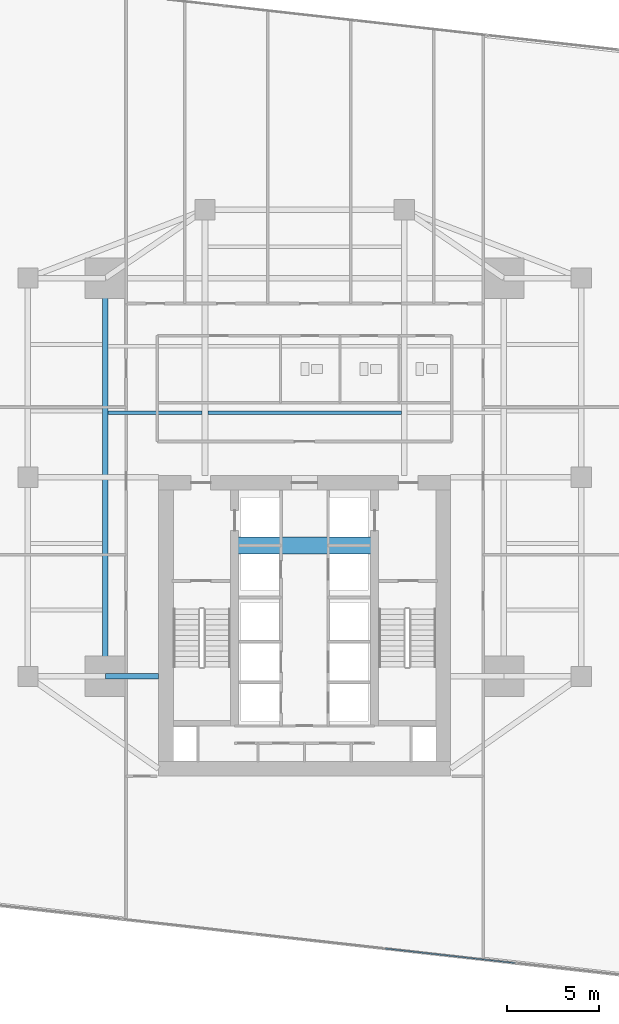
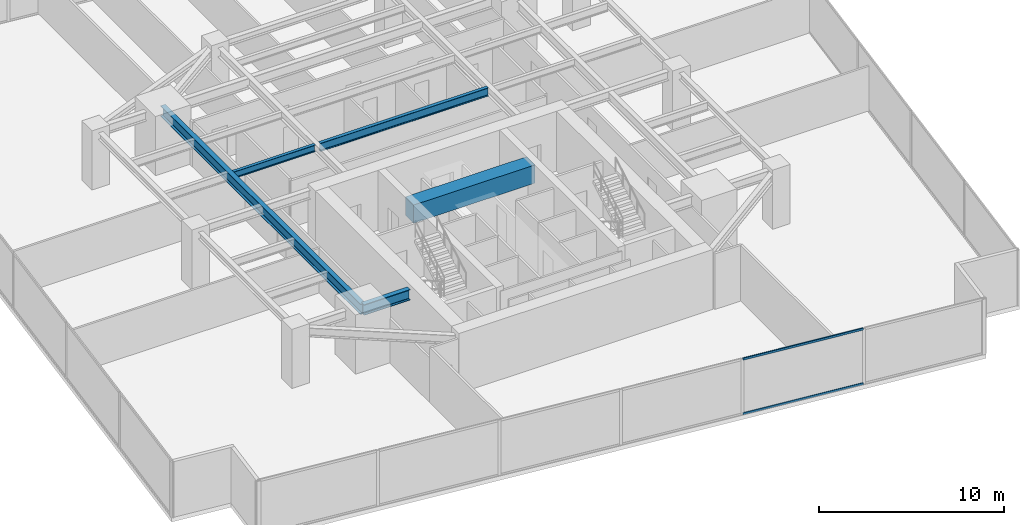
# One storey, part 9 of 31: 5 beams, 2 members, 1 element without a shape of its own.
"""IFC4 building model written with IfcOpenShell, lengths in metres."""

from ifc_helpers import new_model, si_unit, direction, frame, origin, origin_2d, place, context, subcontext, project, spatial, rectangle, hollow_rectangle, i_section, extrude, source, transform, mapped, material, material_profile, profile_set, type_object, type_shapes, element, aggregate, save


model = new_model("IFC4")

# Units and contexts
model_context = context("Model", 3, precision=1e-05, world=origin(), true_north=direction((0.0, 1.0)))
body_context = subcontext(model_context, "Body", "Model", "MODEL_VIEW")
ifc_project = project(units=[si_unit("LENGTHUNIT", "METRE"), si_unit("AREAUNIT", "SQUARE_METRE"), si_unit("VOLUMEUNIT", "CUBIC_METRE"), si_unit("PLANEANGLEUNIT", "RADIAN"), si_unit("MASSUNIT", "GRAM", prefix="KILO")], contexts=[model_context])

# Site, building, storey
site_placement = place(None, origin())
site = spatial("IfcSite", under=ifc_project, at=site_placement, CompositionType="ELEMENT")
building_placement = place(site_placement, origin())
building = spatial("IfcBuilding", under=site, at=building_placement, Name="Krantzveldt Concourse Tower", CompositionType="ELEMENT")
storey_placement = place(building_placement, frame((0.0, 0.0, 56.60009765625)))
storey = spatial("IfcBuildingStorey", under=building, at=storey_placement, Name="L13", CompositionType="ELEMENT", Elevation=56.60009765625)

# Beams
ifc_material_1 = material(Name="Concrete C50/60", Category="concrete")
ifc_material_profile_1 = material_profile(ifc_material_1, rectangle(XDim=0.89990234375, YDim=1.199951171875, at=origin_2d()), Name="Concrete C50/60", Category="concrete")
ifc_profile_set_1 = profile_set([ifc_material_profile_1], Name="Concrete C50/60 - RC-CB 900x1200")
beam_type_1 = type_object("IfcBeamType", Name="BM-CB-1200", PredefinedType="LINTEL", material=ifc_profile_set_1)
shared_shape_1 = source(origin(), body_context, "Body", "SweptSolid", [
    extrude(rectangle(XDim=0.89990234375, YDim=1.199951171875, at=origin_2d()), origin(), (0.0, 0.0, 1.0), 7.580078125),
])
type_shapes(beam_type_1, [shared_shape_1])
beam_1_placement = place(storey_placement, frame((32.2099609375, 23.0, 3.06982421875), z_axis=(1.0, 0.0, 0.0), x_axis=(0.0, 1.0, 0.0)))
element("IfcBeam", 1, at=beam_1_placement, inside=storey, type_object=beam_type_1, Name="CB-L13-01", PredefinedType="LINTEL", context=body_context, shape_type="MappedRepresentation", body=[
    mapped(shared_shape_1, transform((0.0, 0.0, 0.0), x_axis=(1.0, 0.0, 0.0), y_axis=(0.0, 1.0, 0.0), z_axis=(0.0, 0.0, 1.0), scale=1.0)),
])
ifc_material_2 = material(Name="Steel S355J2", Category="steel")
ifc_material_profile_2 = material_profile(ifc_material_2, i_section(OverallWidth=0.300048828125, OverallDepth=0.699951171875, WebThickness=0.01708984375, FlangeThickness=0.031982421875, FilletRadius=0.027099609375, at=origin_2d()), Name="Steel S355J2", Category="steel")
ifc_profile_set_2 = profile_set([ifc_material_profile_2], Name="Steel S355J2 - HEB 700")
beam_type_2 = type_object("IfcBeamType", Name="BM-B-HEB700", PredefinedType="BEAM", material=ifc_profile_set_2)
shared_shape_2 = source(origin(), body_context, "Body", "SweptSolid", [
    extrude(i_section(OverallWidth=0.300048828125, OverallDepth=0.699951171875, WebThickness=0.01708984375, FlangeThickness=0.031982421875, FilletRadius=0.027099609375, at=origin_2d()), origin(), (0.0, 0.0, 1.0), 2.880126953125),
])
beam_2_placement = place(storey_placement, frame((25.199951171875, 15.89990234375, 3.31982421875), z_axis=(1.0, 0.0, 0.0), x_axis=(0.0, 1.0, 0.0)))
element("IfcBeam", 2, at=beam_2_placement, inside=storey, type_object=beam_type_2, Name="L13 Tower Girder BG-CW1", PredefinedType="BEAM", context=body_context, shape_type="MappedRepresentation", body=[
    mapped(shared_shape_2, transform((0.0, 0.0, 0.0), x_axis=(1.0, 0.0, 0.0), y_axis=(0.0, 1.0, 0.0), z_axis=(0.0, 0.0, 1.0), scale=1.0)),
])
shared_shape_3 = source(origin(), body_context, "Body", "SweptSolid", [
    extrude(i_section(OverallWidth=0.300048828125, OverallDepth=0.699951171875, WebThickness=0.01708984375, FlangeThickness=0.031982421875, FilletRadius=0.027099609375, at=origin_2d()), origin(), (0.0, 0.0, 1.0), 21.60009765625),
])
type_shapes(beam_type_2, [shared_shape_2, shared_shape_3])
beam_3_placement = place(storey_placement, frame((25.199951171875, 15.89990234375, 3.31982421875), z_axis=(0.0, 1.0, 0.0), x_axis=(-1.0, 0.0, 0.0)))
element("IfcBeam", 3, at=beam_3_placement, inside=storey, type_object=beam_type_2, Name="L13 Tower Girder BG-MW", PredefinedType="BEAM", context=body_context, shape_type="MappedRepresentation", body=[
    mapped(shared_shape_3, transform((0.0, 0.0, 0.0), x_axis=(1.0, 0.0, 0.0), y_axis=(0.0, 1.0, 0.0), z_axis=(0.0, 0.0, 1.0), scale=1.0)),
])
ifc_material_3 = material(Name="Steel S355JR", Category="steel")
ifc_material_profile_3 = material_profile(ifc_material_3, i_section(OverallWidth=0.2099609375, OverallDepth=0.550048828125, WebThickness=0.010986328125, FlangeThickness=0.01708984375, FilletRadius=0.02392578125, at=origin_2d()), Name="Steel S355JR", Category="steel")
ifc_profile_set_3 = profile_set([ifc_material_profile_3], Name="Steel S355JR - IPE 550")
beam_type_3 = type_object("IfcBeamType", Name="BM-J-IPE550", PredefinedType="JOIST", material=ifc_profile_set_3)
shared_shape_4 = source(origin(), body_context, "Body", "SweptSolid", [
    extrude(i_section(OverallWidth=0.2099609375, OverallDepth=0.550048828125, WebThickness=0.010986328125, FlangeThickness=0.01708984375, FilletRadius=0.02392578125, at=origin_2d()), origin(), (0.0, 0.0, 1.0), 10.5),
])
type_shapes(beam_type_3, [shared_shape_4])
beam_4_placement = place(storey_placement, frame((30.75, 30.199951171875, 3.39501953125), z_axis=(1.0, 0.0, 0.0), x_axis=(0.0, 1.0, 0.0)))
element("IfcBeam", 4, at=beam_4_placement, inside=storey, type_object=beam_type_3, Name="L13 Secondary Floor Joist JN-C1", PredefinedType="JOIST", context=body_context, shape_type="MappedRepresentation", body=[
    mapped(shared_shape_4, transform((0.0, 0.0, 0.0), x_axis=(1.0, 0.0, 0.0), y_axis=(0.0, 1.0, 0.0), z_axis=(0.0, 0.0, 1.0), scale=1.0)),
])
ifc_material_profile_4 = material_profile(ifc_material_3, i_section(OverallWidth=0.18994140625, OverallDepth=0.449951171875, WebThickness=0.009521484375, FlangeThickness=0.0146484375, FilletRadius=0.02099609375, at=origin_2d()), Name="Steel S355JR", Category="steel")
ifc_profile_set_4 = profile_set([ifc_material_profile_4], Name="Steel S355JR - IPE 450")
beam_type_4 = type_object("IfcBeamType", Name="BM-J-IPE450", PredefinedType="JOIST", material=ifc_profile_set_4)
shared_shape_5 = source(origin(), body_context, "Body", "SweptSolid", [
    extrude(i_section(OverallWidth=0.18994140625, OverallDepth=0.449951171875, WebThickness=0.009521484375, FlangeThickness=0.0146484375, FilletRadius=0.02099609375, at=origin_2d()), origin(), (0.0, 0.0, 1.0), 5.099853515625),
])
type_shapes(beam_type_4, [shared_shape_5])
beam_5_placement = place(storey_placement, frame((25.35009765625, 30.199951171875, 3.44482421875), z_axis=(1.0, 0.0, 0.0), x_axis=(0.0, 1.0, 0.0)))
element("IfcBeam", 5, at=beam_5_placement, inside=storey, type_object=beam_type_4, Name="L13 Secondary Floor Joist JN-W1", PredefinedType="JOIST", context=body_context, shape_type="MappedRepresentation", body=[
    mapped(shared_shape_5, transform((0.0, 0.0, 0.0), x_axis=(1.0, 0.0, 0.0), y_axis=(0.0, 1.0, 0.0), z_axis=(0.0, 0.0, 1.0), scale=1.0)),
])

# Curtain wall, members
ifc_material_4 = material(Name="Anodised aluminium 6063-T6", Category="aluminium")
curtain_wall_type = type_object("IfcCurtainWallType", Name="CW2", PredefinedType="USERDEFINED", material=ifc_material_4)
curtain_wall_placement = place(storey_placement, origin())
curtain_wall = element("IfcCurtainWall", 6, at=curtain_wall_placement, inside=storey, type_object=curtain_wall_type, Name="CW-L13-F04", ObjectType="UNITISED CURTAIN WALL", PredefinedType="USERDEFINED")
ifc_material_profile_5 = material_profile(ifc_material_4, hollow_rectangle(XDim=0.070068359375, YDim=0.139892578125, WallThickness=0.0048828125, at=origin_2d()), Name="Anodised aluminium 6063-T6", Category="aluminium")
ifc_profile_set_5 = profile_set([ifc_material_profile_5], Name="Anodised aluminium 6063-T6 - ALU-TRAN 140x70x5")
member_type = type_object("IfcMemberType", Name="CW-TRN-150", PredefinedType="USERDEFINED", material=ifc_profile_set_5)
shared_shape_6 = source(origin(), body_context, "Body", "SweptSolid", [
    extrude(hollow_rectangle(XDim=0.070068359375, YDim=0.139892578125, WallThickness=0.0048828125, at=origin_2d()), origin(), (0.0, 0.0, 1.0), 7.0966796875),
])
type_shapes(member_type, [shared_shape_6])
member_1_placement = place(storey_placement, frame((40.391357421875, 1.144287109375, 0.034912109375), z_axis=(0.993818533296, -0.111016768449, 0.0), x_axis=(0.111016768449, 0.993818533296, 0.0)))
member_1 = element("IfcMember", 7, at=member_1_placement, type_object=member_type, Name="CW-Z12 transom 5.1", ObjectType="TRANSOM", PredefinedType="USERDEFINED", context=body_context, shape_type="MappedRepresentation", body=[
    mapped(shared_shape_6, transform((0.0, 0.0, 0.0), x_axis=(1.0, 0.0, 0.0), y_axis=(0.0, 1.0, 0.0), z_axis=(0.0, 0.0, 1.0), scale=1.0)),
])
member_2_placement = place(storey_placement, frame((40.391357421875, 1.144287109375, 3.635009765625), z_axis=(0.993818533296, -0.111016768449, 0.0), x_axis=(0.111016768449, 0.993818533296, 0.0)))
member_2 = element("IfcMember", 8, at=member_2_placement, type_object=member_type, Name="CW-Z12 transom 5.2", ObjectType="TRANSOM", PredefinedType="USERDEFINED", context=body_context, shape_type="MappedRepresentation", body=[
    mapped(shared_shape_6, transform((0.0, 0.0, 0.0), x_axis=(1.0, 0.0, 0.0), y_axis=(0.0, 1.0, 0.0), z_axis=(0.0, 0.0, 1.0), scale=1.0)),
])
aggregate(curtain_wall, [member_1, member_2])

save(model, "model.ifc")
